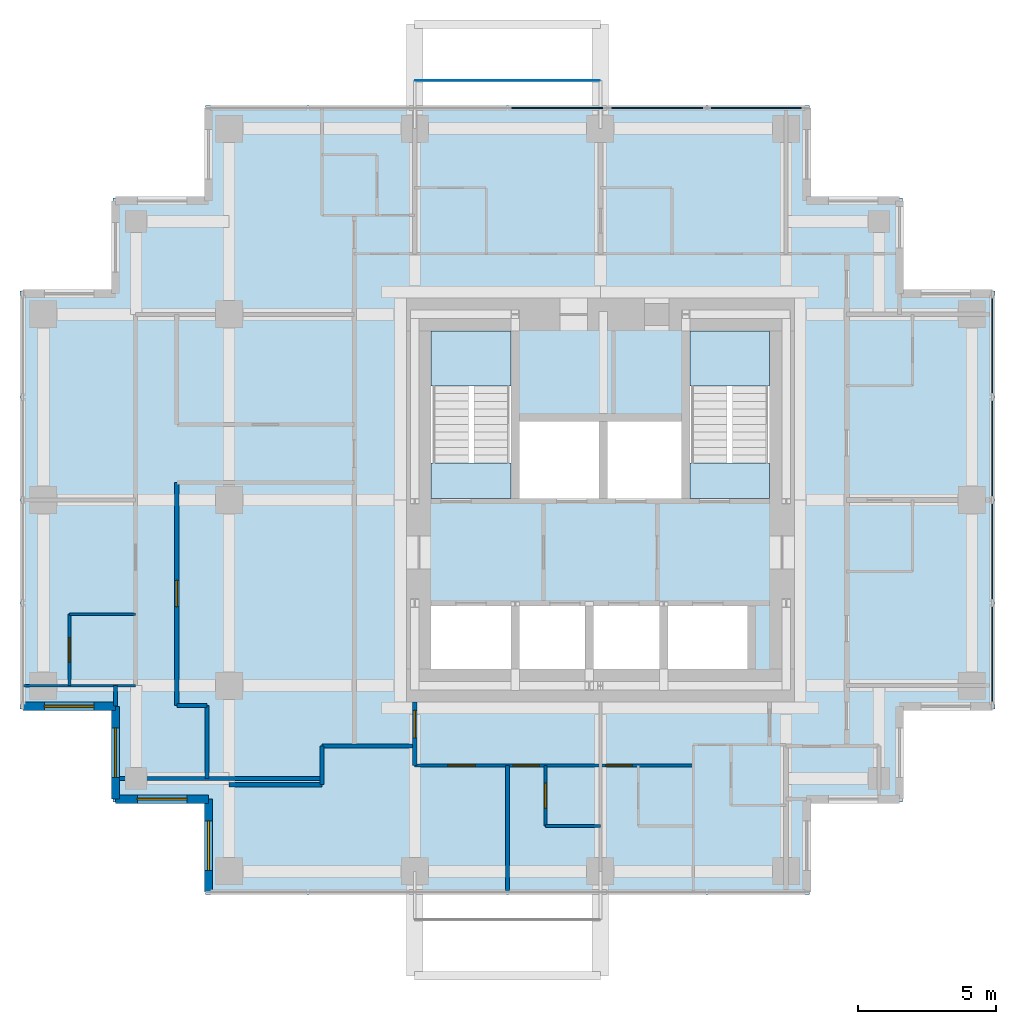
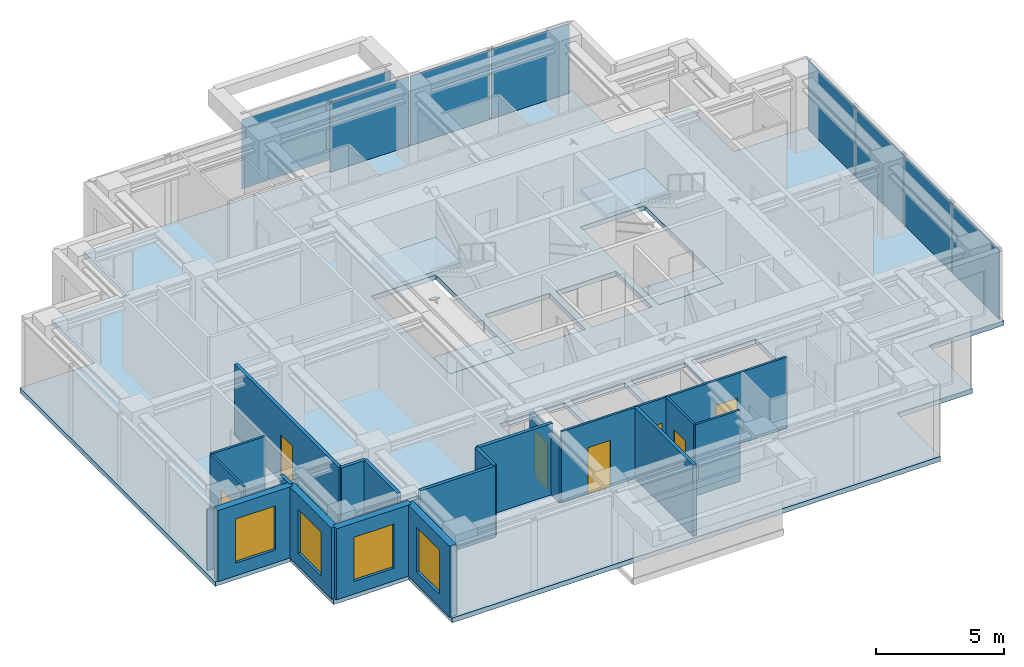
# One storey, part 3 of 7: 20 walls, 8 plates, 7 doors, 5 slabs, 4 windows, 11 openings, 4 elements without a shape of their own.
"""IFC4 building model written with IfcOpenShell, lengths in metres."""

from ifc_helpers import new_model, si_unit, direction, frame, frame_2d, origin, origin_2d, place, context, subcontext, project, spatial, polyline, rectangle, outline, extrude, material, layer, layer_set, type_object, element, fill, aggregate, save


model = new_model("IFC4")

# Units and contexts
model_context = context("Model", 3, precision=1e-05, world=origin(), true_north=direction((0.0, 1.0)))
body_context = subcontext(model_context, "Body", "Model", "MODEL_VIEW")
ifc_project = project(units=[si_unit("LENGTHUNIT", "METRE"), si_unit("AREAUNIT", "SQUARE_METRE"), si_unit("VOLUMEUNIT", "CUBIC_METRE"), si_unit("PLANEANGLEUNIT", "RADIAN"), si_unit("MASSUNIT", "GRAM", prefix="KILO")], contexts=[model_context])

# Site, building, storey
site_placement = place(None, origin())
site = spatial("IfcSite", under=ifc_project, at=site_placement, CompositionType="ELEMENT")
building_placement = place(site_placement, origin())
building = spatial("IfcBuilding", under=site, at=building_placement, Name="Nyansa Garden Tower", CompositionType="ELEMENT")
storey_placement = place(building_placement, frame((0.0, 0.0, 236.699951171875)))
storey = spatial("IfcBuildingStorey", under=building, at=storey_placement, Name="L64", CompositionType="ELEMENT", Elevation=236.699951171875)

# Curtain wall, plates
ifc_material_1 = material(Name="Black anodised aluminium, dark tinted double glazing", Category="aluminium")
curtain_wall_type = type_object("IfcCurtainWallType", Name="Inner skin curtain wall ISW-D", PredefinedType="USERDEFINED", material=ifc_material_1)
curtain_wall_1_placement = place(storey_placement, origin())
curtain_wall_1 = element("IfcCurtainWall", 1, at=curtain_wall_1_placement, inside=storey, type_object=curtain_wall_type, Name="Inner skin curtain wall L64 E", ObjectType="UNITISED CURTAIN WALL", PredefinedType="USERDEFINED")
ifc_material_2 = material(Name="Dark tinted laminated double glazing", Category="glass")
ifc_layer_1 = layer(ifc_material_2, 0.0439453125)
ifc_layer_set_1 = layer_set([ifc_layer_1], Name="Dark tinted vision panel VP-D")
plate_type_1 = type_object("IfcPlateType", Name="Dark tinted vision panel VP-D", PredefinedType="CURTAIN_PANEL", material=ifc_layer_set_1)
plate_1_placement = place(storey_placement, frame((34.5, 14.642578125, 0.0), z_axis=(0.0, 0.0, 1.0), x_axis=(0.0, 1.0, 0.0)))
plate_1 = element("IfcPlate", 2, at=plate_1_placement, type_object=plate_type_1, Name="ISW-D panel 1", PredefinedType="CURTAIN_PANEL", context=body_context, shape_type="SweptSolid", body=[
    extrude(rectangle(XDim=3.64501953125, YDim=0.0439453125, at=origin_2d()), origin(), (0.0, 0.0, 1.0), 3.304931640625),
])
plate_2_placement = place(storey_placement, frame((34.5, 18.375, 0.0), z_axis=(0.0, 0.0, 1.0), x_axis=(0.0, 1.0, 0.0)))
plate_2 = element("IfcPlate", 3, at=plate_2_placement, type_object=plate_type_1, Name="ISW-D panel 2", PredefinedType="CURTAIN_PANEL", context=body_context, shape_type="SweptSolid", body=[
    extrude(rectangle(XDim=3.679931640625, YDim=0.0439453125, at=origin_2d()), origin(), (0.0, 0.0, 1.0), 3.304931640625),
])
plate_3_placement = place(storey_placement, frame((34.5, 22.125, 0.0), z_axis=(0.0, 0.0, 1.0), x_axis=(0.0, 1.0, 0.0)))
plate_3 = element("IfcPlate", 4, at=plate_3_placement, type_object=plate_type_1, Name="ISW-D panel 3", PredefinedType="CURTAIN_PANEL", context=body_context, shape_type="SweptSolid", body=[
    extrude(rectangle(XDim=3.679931640625, YDim=0.0439453125, at=origin_2d()), origin(), (0.0, 0.0, 1.0), 3.304931640625),
])
plate_4_placement = place(storey_placement, frame((34.5, 25.857421875, 0.0), z_axis=(0.0, 0.0, 1.0), x_axis=(0.0, 1.0, 0.0)))
plate_4 = element("IfcPlate", 5, at=plate_4_placement, type_object=plate_type_1, Name="ISW-D panel 4", PredefinedType="CURTAIN_PANEL", context=body_context, shape_type="SweptSolid", body=[
    extrude(rectangle(XDim=3.64501953125, YDim=0.0439453125, at=origin_2d()), origin(), (0.0, 0.0, 1.0), 3.304931640625),
])
aggregate(curtain_wall_1, [plate_1, plate_2, plate_3, plate_4])

curtain_wall_2_placement = place(storey_placement, origin())
curtain_wall_2 = element("IfcCurtainWall", 6, at=curtain_wall_2_placement, inside=storey, type_object=curtain_wall_type, Name="Inner skin curtain wall L64 N", ObjectType="UNITISED CURTAIN WALL", PredefinedType="USERDEFINED")
plate_5_placement = place(storey_placement, frame((25.919921875, 34.5, 0.0), z_axis=(0.0, 0.0, 1.0), x_axis=(-1.0, 0.0, 0.0)))
plate_5 = element("IfcPlate", 7, at=plate_5_placement, type_object=plate_type_1, Name="ISW-D panel 1", PredefinedType="CURTAIN_PANEL", context=body_context, shape_type="SweptSolid", body=[
    extrude(rectangle(XDim=3.52001953125, YDim=0.0439453125, at=origin_2d()), origin(), (0.0, 0.0, 1.0), 3.304931640625),
])
plate_6_placement = place(storey_placement, frame((22.3125, 34.5, 0.0), z_axis=(0.0, 0.0, 1.0), x_axis=(-1.0, 0.0, 0.0)))
plate_6 = element("IfcPlate", 8, at=plate_6_placement, type_object=plate_type_1, Name="ISW-D panel 2", PredefinedType="CURTAIN_PANEL", context=body_context, shape_type="SweptSolid", body=[
    extrude(rectangle(XDim=3.554931640625, YDim=0.0439453125, at=origin_2d()), origin(), (0.0, 0.0, 1.0), 3.304931640625),
])
plate_7_placement = place(storey_placement, frame((18.6875, 34.5, 0.0), z_axis=(0.0, 0.0, 1.0), x_axis=(-1.0, 0.0, 0.0)))
plate_7 = element("IfcPlate", 9, at=plate_7_placement, type_object=plate_type_1, Name="ISW-D panel 3", PredefinedType="CURTAIN_PANEL", context=body_context, shape_type="SweptSolid", body=[
    extrude(rectangle(XDim=3.554931640625, YDim=0.0439453125, at=origin_2d()), origin(), (0.0, 0.0, 1.0), 3.304931640625),
])
aggregate(curtain_wall_2, [plate_5, plate_6, plate_7])

# Slab
ifc_material_3 = material(Name="Concrete C40/50", Category="concrete")
ifc_layer_2 = layer(ifc_material_3, 0.22509765625)
ifc_layer_set_2 = layer_set([ifc_layer_2], Name="Floor slab FS225")
slab_type_1 = type_object("IfcSlabType", Name="Floor slab FS225", PredefinedType="FLOOR", material=ifc_layer_set_2)
slab_1_placement = place(storey_placement, frame((0.0, 0.0, -0.224853515625)))
element("IfcSlab", 10, at=slab_1_placement, inside=storey, type_object=slab_type_1, Name="Floor slab L64", PredefinedType="FLOOR", context=body_context, shape_type="SweptSolid", body=[
    extrude(outline(polyline([(34.60009765625, 12.64990234375), (31.22509765625, 12.64990234375), (31.22509765625, 9.27490234375), (27.85009765625, 9.27490234375), (27.85009765625, 5.89990234375), (5.89990234375, 5.89990234375), (5.89990234375, 9.27490234375), (2.52490234375, 9.27490234375), (2.52490234375, 12.64990234375), (-0.85009765625, 12.64990234375), (-0.85009765625, 27.85009765625), (2.52490234375, 27.85009765625), (2.52490234375, 31.22509765625), (5.89990234375, 31.22509765625), (5.89990234375, 34.60009765625), (27.85009765625, 34.60009765625), (27.85009765625, 31.22509765625), (31.22509765625, 31.22509765625), (31.22509765625, 27.85009765625), (34.60009765625, 27.85009765625), (34.60009765625, 12.64990234375)]), holes=[polyline([(14.10009765625, 14.10009765625), (17.0, 14.10009765625), (17.0, 16.39990234375), (14.10009765625, 16.39990234375), (14.10009765625, 14.10009765625)]), polyline([(17.300048828125, 14.10009765625), (19.699951171875, 14.10009765625), (19.699951171875, 16.39990234375), (17.300048828125, 16.39990234375), (17.300048828125, 14.10009765625)]), polyline([(20.0, 14.10009765625), (22.39990234375, 14.10009765625), (22.39990234375, 16.39990234375), (20.0, 16.39990234375), (20.0, 14.10009765625)]), polyline([(22.699951171875, 14.10009765625), (25.60009765625, 14.10009765625), (25.60009765625, 16.39990234375), (22.699951171875, 16.39990234375), (22.699951171875, 14.10009765625)]), polyline([(17.300048828125, 20.300048828125), (20.199951171875, 20.300048828125), (20.199951171875, 23.10009765625), (17.300048828125, 23.10009765625), (17.300048828125, 20.300048828125)]), polyline([(20.5, 20.300048828125), (23.199951171875, 20.300048828125), (23.199951171875, 23.10009765625), (20.5, 23.10009765625), (20.5, 20.300048828125)]), polyline([(14.10009765625, 20.300048828125), (17.0, 20.300048828125), (17.0, 26.39990234375), (14.10009765625, 26.39990234375), (14.10009765625, 20.300048828125)]), polyline([(23.5, 20.300048828125), (26.39990234375, 20.300048828125), (26.39990234375, 26.39990234375), (23.5, 26.39990234375), (23.5, 20.300048828125)])]), origin(), (0.0, 0.0, 1.0), 0.224853515625),
])

# Plate
ifc_material_4 = material(Name="Dark tinted laminated glass", Category="glass")
ifc_layer_3 = layer(ifc_material_4, 0.02392578125)
ifc_layer_set_3 = layer_set([ifc_layer_3], Name="Outer skin glass panel OS1")
plate_type_2 = type_object("IfcPlateType", Name="Outer skin glass panel OS1", PredefinedType="USERDEFINED", material=ifc_layer_set_3)
plate_8_placement = place(storey_placement, frame((16.875, 35.5, -0.22509765625), z_axis=(0.0, 0.0, 1.0), x_axis=(1.0, 0.0, 0.0)))
element("IfcPlate", 11, at=plate_8_placement, inside=storey, type_object=plate_type_2, Name="Outer skin glass panel L64", ObjectType="OUTER SKIN GLASS", PredefinedType="USERDEFINED", context=body_context, shape_type="SweptSolid", body=[
    extrude(rectangle(XDim=6.7099609375, YDim=0.02392578125, at=origin_2d()), origin(), (0.0, 0.0, 1.0), 3.300048828125),
])

# Stair, slabs
ifc_material_5 = material(Name="Precast concrete C40/50", Category="concrete")
stair_type_1 = type_object("IfcStairType", Name="Stair S1 164x280", PredefinedType="HALF_TURN_STAIR", material=ifc_material_5)
stair_1_placement = place(storey_placement, origin())
stair_1 = element("IfcStair", 12, at=stair_1_placement, inside=storey, type_object=stair_type_1, Name="Stair S1 L64", PredefinedType="HALF_TURN_STAIR")
ifc_material_6 = material(Name="Concrete C40/50", Category="concrete")
ifc_layer_4 = layer(ifc_material_6, 0.199951171875)
ifc_layer_set_4 = layer_set([ifc_layer_4], Name="Stair landing SL200")
slab_type_2 = type_object("IfcSlabType", Name="Stair landing SL200", PredefinedType="LANDING", material=ifc_layer_set_4)
slab_2_placement = place(storey_placement, frame((0.0, 0.0, -0.199951171875)))
slab_2 = element("IfcSlab", 13, at=slab_2_placement, type_object=slab_type_2, Name="S1 landing 1", PredefinedType="LANDING", context=body_context, shape_type="SweptSolid", body=[
    extrude(outline(polyline([(14.10009765625, 20.300048828125), (17.0, 20.300048828125), (17.0, 21.60009765625), (14.10009765625, 21.60009765625), (14.10009765625, 20.300048828125)])), origin(), (0.0, 0.0, 1.0), 0.199951171875),
])
slab_3_placement = place(storey_placement, frame((0.0, 0.0, 1.60009765625)))
slab_3 = element("IfcSlab", 14, at=slab_3_placement, type_object=slab_type_2, Name="S1 landing 2", PredefinedType="LANDING", context=body_context, shape_type="SweptSolid", body=[
    extrude(outline(polyline([(14.10009765625, 24.39990234375), (17.0, 24.39990234375), (17.0, 26.39990234375), (14.10009765625, 26.39990234375), (14.10009765625, 24.39990234375)])), origin(), (0.0, 0.0, 1.0), 0.199951171875),
])
aggregate(stair_1, [slab_2, slab_3])

ifc_material_7 = material(Name="Precast concrete C40/50", Category="concrete")
stair_type_2 = type_object("IfcStairType", Name="Stair S2 164x280", PredefinedType="HALF_TURN_STAIR", material=ifc_material_7)
stair_2_placement = place(storey_placement, origin())
stair_2 = element("IfcStair", 15, at=stair_2_placement, inside=storey, type_object=stair_type_2, Name="Stair S2 L64", PredefinedType="HALF_TURN_STAIR")
slab_4_placement = place(storey_placement, frame((0.0, 0.0, -0.199951171875)))
slab_4 = element("IfcSlab", 16, at=slab_4_placement, type_object=slab_type_2, Name="S2 landing 1", PredefinedType="LANDING", context=body_context, shape_type="SweptSolid", body=[
    extrude(outline(polyline([(23.5, 20.300048828125), (26.39990234375, 20.300048828125), (26.39990234375, 21.60009765625), (23.5, 21.60009765625), (23.5, 20.300048828125)])), origin(), (0.0, 0.0, 1.0), 0.199951171875),
])
slab_5_placement = place(storey_placement, frame((0.0, 0.0, 1.60009765625)))
slab_5 = element("IfcSlab", 17, at=slab_5_placement, type_object=slab_type_2, Name="S2 landing 2", PredefinedType="LANDING", context=body_context, shape_type="SweptSolid", body=[
    extrude(outline(polyline([(23.5, 24.39990234375), (26.39990234375, 24.39990234375), (26.39990234375, 26.39990234375), (23.5, 26.39990234375), (23.5, 24.39990234375)])), origin(), (0.0, 0.0, 1.0), 0.199951171875),
])
aggregate(stair_2, [slab_4, slab_5])

# Walls
ifc_material_8 = material(Name="Blockwork, plastered both sides", Category="masonry")
ifc_layer_5 = layer(ifc_material_8, 0.14990234375)
ifc_layer_set_5 = layer_set([ifc_layer_5], Name="Partition PW150")
wall_type_1 = type_object("IfcWallType", Name="Partition PW150", PredefinedType="PARTITIONING", material=ifc_layer_set_5)
wall_1_placement = place(storey_placement, frame((2.625, 12.76611328125, 0.0), z_axis=(0.0, 0.0, 1.0), x_axis=(0.0, 1.0, 0.0)))
element("IfcWall", 18, at=wall_1_placement, inside=storey, type_object=wall_type_1, Name="Partition", PredefinedType="PARTITIONING", context=body_context, shape_type="SweptSolid", body=[
    extrude(rectangle(XDim=0.73388671875, YDim=0.14990234375, at=frame_2d((0.366943359375, 0.0))), origin(), (0.0, 0.0, 1.0), 3.375),
])
wall_2_placement = place(storey_placement, frame((2.77490234375, 10.125, 0.0), z_axis=(0.0, 0.0, 1.0), x_axis=(1.0, 0.0, 0.0)))
element("IfcWall", 19, at=wall_2_placement, inside=storey, type_object=wall_type_1, Name="Partition", PredefinedType="PARTITIONING", context=body_context, shape_type="SweptSolid", body=[
    extrude(rectangle(XDim=7.35009765625, YDim=0.14990234375, at=frame_2d((3.675048828125, 0.0))), origin(), (0.0, 0.0, 1.0), 2.876953125),
])

# Wall, opening, door
wall_3_placement = place(storey_placement, frame((4.85009765625, 12.77490234375, 0.0), z_axis=(0.0, 0.0, 1.0), x_axis=(0.0, 1.0, 0.0)))
wall_3 = element("IfcWall", 20, at=wall_3_placement, inside=storey, type_object=wall_type_1, Name="Partition", PredefinedType="PARTITIONING", context=body_context, shape_type="SweptSolid", body=[
    extrude(rectangle(XDim=8.112548828125, YDim=0.14990234375, at=frame_2d((4.05615234375, 0.0))), origin(), (0.0, 0.0, 1.0), 3.375),
])
opening_1_placement = place(wall_3_placement, frame((3.60009765625, 0.0, 0.0)))
opening_1 = element("IfcOpeningElement", 21, at=opening_1_placement, cuts=wall_3, Name="Opening D01", PredefinedType="OPENING", context=body_context, shape_type="SweptSolid", body=[
    extrude(rectangle(XDim=0.949951171875, YDim=2.199951171875, at=frame_2d((0.47509765625, 1.10009765625))), frame((0.0, 0.0849609375, 0.0), z_axis=(0.0, -1.0, 0.0), x_axis=(1.0, 0.0, 0.0)), (0.0, 0.0, 1.0), 0.169921875),
])
ifc_material_9 = material(Name="Timber flush door, 30 minute fire resisting", Category="wood")
door_type_1 = type_object("IfcDoorType", Name="Bedroom door D01 950x2200", OperationType="SINGLE_SWING_LEFT", PredefinedType="DOOR", material=ifc_material_9)
door_1_placement = place(opening_1_placement, origin())
door_1 = element("IfcDoor", 22, at=door_1_placement, inside=storey, type_object=door_type_1, Name="Door L64-045", OperationType="SINGLE_SWING_LEFT", OverallHeight=2.199951171875, OverallWidth=0.949951171875, PredefinedType="DOOR", context=body_context, shape_type="SweptSolid", body=[
    extrude(rectangle(XDim=0.949951171875, YDim=2.199951171875, at=frame_2d((0.47509765625, 1.10009765625))), frame((0.0, 0.02490234375, 0.0), z_axis=(0.0, -1.0, 0.0), x_axis=(1.0, 0.0, 0.0)), (0.0, 0.0, 1.0), 0.050048828125),
])
fill(opening_1, door_1)

# Walls
wall_4_placement = place(storey_placement, frame((4.85009765625, 12.77490234375, 0.0), z_axis=(0.0, 0.0, 1.0), x_axis=(1.0, 0.0, 0.0)))
element("IfcWall", 23, at=wall_4_placement, inside=storey, type_object=wall_type_1, Name="Partition", PredefinedType="PARTITIONING", context=body_context, shape_type="SweptSolid", body=[
    extrude(rectangle(XDim=1.099853515625, YDim=0.14990234375, at=frame_2d((0.5498046875, 0.0))), origin(), (0.0, 0.0, 1.0), 3.375),
])
wall_5_placement = place(storey_placement, frame((5.949951171875, 10.125, 0.0), z_axis=(0.0, 0.0, 1.0), x_axis=(0.0, 1.0, 0.0)))
element("IfcWall", 24, at=wall_5_placement, inside=storey, type_object=wall_type_1, Name="Partition", PredefinedType="PARTITIONING", context=body_context, shape_type="SweptSolid", body=[
    extrude(rectangle(XDim=2.64990234375, YDim=0.14990234375, at=frame_2d((1.324951171875, 0.0))), origin(), (0.0, 0.0, 1.0), 3.375),
])
wall_6_placement = place(storey_placement, frame((6.75, 9.89990234375, 0.0), z_axis=(0.0, 0.0, 1.0), x_axis=(1.0, 0.0, 0.0)))
element("IfcWall", 25, at=wall_6_placement, inside=storey, type_object=wall_type_1, Name="Partition", PredefinedType="PARTITIONING", context=body_context, shape_type="SweptSolid", body=[
    extrude(rectangle(XDim=3.375, YDim=0.14990234375, at=frame_2d((1.6875, 0.0))), origin(), (0.0, 0.0, 1.0), 3.375),
])
wall_7_placement = place(storey_placement, frame((10.125, 9.89990234375, 0.0), z_axis=(0.0, 0.0, 1.0), x_axis=(0.0, 1.0, 0.0)))
element("IfcWall", 26, at=wall_7_placement, inside=storey, type_object=wall_type_1, Name="Partition", PredefinedType="PARTITIONING", context=body_context, shape_type="SweptSolid", body=[
    extrude(rectangle(XDim=1.400146484375, YDim=0.14990234375, at=frame_2d((0.7001953125, 0.0))), origin(), (0.0, 0.0, 1.0), 3.375),
])
wall_8_placement = place(storey_placement, frame((10.125, 11.300048828125, 0.0), z_axis=(0.0, 0.0, 1.0), x_axis=(1.0, 0.0, 0.0)))
element("IfcWall", 27, at=wall_8_placement, inside=storey, type_object=wall_type_1, Name="Partition", PredefinedType="PARTITIONING", context=body_context, shape_type="SweptSolid", body=[
    extrude(rectangle(XDim=3.375, YDim=0.14990234375, at=frame_2d((1.6875, 0.0))), origin(), (0.0, 0.0, 1.0), 3.375),
])

# Wall, opening, door
wall_9_placement = place(storey_placement, frame((13.5, 10.60009765625, 0.0), z_axis=(0.0, 0.0, 1.0), x_axis=(0.0, 1.0, 0.0)))
wall_9 = element("IfcWall", 28, at=wall_9_placement, inside=storey, type_object=wall_type_1, Name="Partition", PredefinedType="PARTITIONING", context=body_context, shape_type="SweptSolid", body=[
    extrude(rectangle(XDim=2.2998046875, YDim=0.14990234375, at=frame_2d((1.14990234375, 0.0))), origin(), (0.0, 0.0, 1.0), 2.876953125),
])
opening_2_placement = place(wall_9_placement, frame((1.0, 0.0, 0.0)))
opening_2 = element("IfcOpeningElement", 29, at=opening_2_placement, cuts=wall_9, Name="Opening D03", PredefinedType="OPENING", context=body_context, shape_type="SweptSolid", body=[
    extrude(rectangle(XDim=1.0, YDim=2.199951171875, at=frame_2d((0.5, 1.10009765625))), frame((0.0, 0.0849609375, 0.0), z_axis=(0.0, -1.0, 0.0), x_axis=(1.0, 0.0, 0.0)), (0.0, 0.0, 1.0), 0.169921875),
])
ifc_material_10 = material(Name="Timber flush door, 60 minute fire resisting", Category="wood")
door_type_2 = type_object("IfcDoorType", Name="Cluster entrance door D03 1000x2200", OperationType="SINGLE_SWING_LEFT", PredefinedType="DOOR", material=ifc_material_10)
door_2_placement = place(opening_2_placement, origin())
door_2 = element("IfcDoor", 30, at=door_2_placement, inside=storey, type_object=door_type_2, Name="Door L64-019", OperationType="SINGLE_SWING_LEFT", OverallHeight=2.199951171875, OverallWidth=1.0, PredefinedType="DOOR", context=body_context, shape_type="SweptSolid", body=[
    extrude(rectangle(XDim=1.0, YDim=2.199951171875, at=frame_2d((0.5, 1.10009765625))), frame((0.0, 0.02490234375, 0.0), z_axis=(0.0, -1.0, 0.0), x_axis=(1.0, 0.0, 0.0)), (0.0, 0.0, 1.0), 0.050048828125),
])
fill(opening_2, door_2)

# Wall
wall_10_placement = place(storey_placement, frame((16.875, 6.01611328125, 0.0), z_axis=(0.0, 0.0, 1.0), x_axis=(0.0, 1.0, 0.0)))
element("IfcWall", 31, at=wall_10_placement, inside=storey, type_object=wall_type_1, Name="Partition", PredefinedType="PARTITIONING", context=body_context, shape_type="SweptSolid", body=[
    extrude(rectangle(XDim=4.583984375, YDim=0.14990234375, at=frame_2d((2.2919921875, 0.0))), origin(), (0.0, 0.0, 1.0), 3.375),
])

# Wall, opening, window
ifc_material_11 = material(Name="Turquoise glazed tile on concrete blockwork", Category="masonry")
ifc_layer_6 = layer(ifc_material_11, 0.300048828125)
ifc_layer_set_6 = layer_set([ifc_layer_6], Name="Tiled corner wall TW300")
wall_type_2 = type_object("IfcWallType", Name="Tiled corner wall TW300", PredefinedType="SOLIDWALL", material=ifc_layer_set_6)
wall_11_placement = place(storey_placement, frame((-0.75, 12.75, 0.0), z_axis=(0.0, 0.0, 1.0), x_axis=(1.0, 0.0, 0.0)))
wall_11 = element("IfcWall", 32, at=wall_11_placement, inside=storey, type_object=wall_type_2, Name="Tiled corner wall L64", PredefinedType="SOLIDWALL", context=body_context, shape_type="SweptSolid", body=[
    extrude(rectangle(XDim=3.375, YDim=0.300048828125, at=frame_2d((1.6875, 0.0))), origin(), (0.0, 0.0, 1.0), 3.375),
])
opening_3_placement = place(wall_11_placement, frame((0.78759765625, 0.0, 0.60009765625)))
opening_3 = element("IfcOpeningElement", 33, at=opening_3_placement, cuts=wall_11, Name="Opening W2", PredefinedType="OPENING", context=body_context, shape_type="SweptSolid", body=[
    extrude(rectangle(XDim=1.800048828125, YDim=2.10009765625, at=frame_2d((0.89990234375, 1.050048828125))), frame((0.0, 0.159912109375, 0.0), z_axis=(0.0, -1.0, 0.0), x_axis=(1.0, 0.0, 0.0)), (0.0, 0.0, 1.0), 0.320068359375),
])
ifc_material_12 = material(Name="Black aluminium frame, dark tinted double glazing", Category="aluminium")
window_type = type_object("IfcWindowType", Name="Window W2 1800x2100", PartitioningType="SINGLE_PANEL", PredefinedType="WINDOW", material=ifc_material_12)
window_1_placement = place(opening_3_placement, origin())
window_1 = element("IfcWindow", 34, at=window_1_placement, inside=storey, type_object=window_type, Name="Corner window L64", OverallHeight=2.10009765625, OverallWidth=1.800048828125, PartitioningType="SINGLE_PANEL", PredefinedType="WINDOW", context=body_context, shape_type="SweptSolid", body=[
    extrude(rectangle(XDim=1.800048828125, YDim=2.10009765625, at=frame_2d((0.89990234375, 1.050048828125))), frame((0.0, 0.030029296875, 0.0), z_axis=(0.0, -1.0, 0.0), x_axis=(1.0, 0.0, 0.0)), (0.0, 0.0, 1.0), 0.06005859375),
])
fill(opening_3, window_1)

wall_12_placement = place(storey_placement, frame((2.625, 12.75, 0.0), z_axis=(0.0, 0.0, 1.0), x_axis=(0.0, -1.0, 0.0)))
wall_12 = element("IfcWall", 35, at=wall_12_placement, inside=storey, type_object=wall_type_2, Name="Tiled corner wall L64", PredefinedType="SOLIDWALL", context=body_context, shape_type="SweptSolid", body=[
    extrude(rectangle(XDim=3.375, YDim=0.300048828125, at=frame_2d((1.6875, 0.0))), origin(), (0.0, 0.0, 1.0), 3.375),
])
opening_4_placement = place(wall_12_placement, frame((0.78759765625, 0.0, 0.60009765625)))
opening_4 = element("IfcOpeningElement", 36, at=opening_4_placement, cuts=wall_12, Name="Opening W2", PredefinedType="OPENING", context=body_context, shape_type="SweptSolid", body=[
    extrude(rectangle(XDim=1.800048828125, YDim=2.10009765625, at=frame_2d((0.89990234375, 1.050048828125))), frame((0.0, 0.159912109375, 0.0), z_axis=(0.0, -1.0, 0.0), x_axis=(1.0, 0.0, 0.0)), (0.0, 0.0, 1.0), 0.320068359375),
])
window_2_placement = place(opening_4_placement, origin())
window_2 = element("IfcWindow", 37, at=window_2_placement, inside=storey, type_object=window_type, Name="Corner window L64", OverallHeight=2.10009765625, OverallWidth=1.800048828125, PartitioningType="SINGLE_PANEL", PredefinedType="WINDOW", context=body_context, shape_type="SweptSolid", body=[
    extrude(rectangle(XDim=1.800048828125, YDim=2.10009765625, at=frame_2d((0.89990234375, 1.050048828125))), frame((0.0, 0.030029296875, 0.0), z_axis=(0.0, -1.0, 0.0), x_axis=(1.0, 0.0, 0.0)), (0.0, 0.0, 1.0), 0.06005859375),
])
fill(opening_4, window_2)

wall_13_placement = place(storey_placement, frame((2.625, 9.375, 0.0), z_axis=(0.0, 0.0, 1.0), x_axis=(1.0, 0.0, 0.0)))
wall_13 = element("IfcWall", 38, at=wall_13_placement, inside=storey, type_object=wall_type_2, Name="Tiled corner wall L64", PredefinedType="SOLIDWALL", context=body_context, shape_type="SweptSolid", body=[
    extrude(rectangle(XDim=3.375, YDim=0.300048828125, at=frame_2d((1.6875, 0.0))), origin(), (0.0, 0.0, 1.0), 3.375),
])
opening_5_placement = place(wall_13_placement, frame((0.78759765625, 0.0, 0.60009765625)))
opening_5 = element("IfcOpeningElement", 39, at=opening_5_placement, cuts=wall_13, Name="Opening W2", PredefinedType="OPENING", context=body_context, shape_type="SweptSolid", body=[
    extrude(rectangle(XDim=1.800048828125, YDim=2.10009765625, at=frame_2d((0.89990234375, 1.050048828125))), frame((0.0, 0.159912109375, 0.0), z_axis=(0.0, -1.0, 0.0), x_axis=(1.0, 0.0, 0.0)), (0.0, 0.0, 1.0), 0.320068359375),
])
window_3_placement = place(opening_5_placement, origin())
window_3 = element("IfcWindow", 40, at=window_3_placement, inside=storey, type_object=window_type, Name="Corner window L64", OverallHeight=2.10009765625, OverallWidth=1.800048828125, PartitioningType="SINGLE_PANEL", PredefinedType="WINDOW", context=body_context, shape_type="SweptSolid", body=[
    extrude(rectangle(XDim=1.800048828125, YDim=2.10009765625, at=frame_2d((0.89990234375, 1.050048828125))), frame((0.0, 0.030029296875, 0.0), z_axis=(0.0, -1.0, 0.0), x_axis=(1.0, 0.0, 0.0)), (0.0, 0.0, 1.0), 0.06005859375),
])
fill(opening_5, window_3)

wall_14_placement = place(storey_placement, frame((6.0, 9.375, 0.0), z_axis=(0.0, 0.0, 1.0), x_axis=(0.0, -1.0, 0.0)))
wall_14 = element("IfcWall", 41, at=wall_14_placement, inside=storey, type_object=wall_type_2, Name="Tiled corner wall L64", PredefinedType="SOLIDWALL", context=body_context, shape_type="SweptSolid", body=[
    extrude(rectangle(XDim=3.375, YDim=0.300048828125, at=frame_2d((1.6875, 0.0))), origin(), (0.0, 0.0, 1.0), 3.375),
])
opening_6_placement = place(wall_14_placement, frame((0.78759765625, 0.0, 0.60009765625)))
opening_6 = element("IfcOpeningElement", 42, at=opening_6_placement, cuts=wall_14, Name="Opening W2", PredefinedType="OPENING", context=body_context, shape_type="SweptSolid", body=[
    extrude(rectangle(XDim=1.800048828125, YDim=2.10009765625, at=frame_2d((0.89990234375, 1.050048828125))), frame((0.0, 0.159912109375, 0.0), z_axis=(0.0, -1.0, 0.0), x_axis=(1.0, 0.0, 0.0)), (0.0, 0.0, 1.0), 0.320068359375),
])
window_4_placement = place(opening_6_placement, origin())
window_4 = element("IfcWindow", 43, at=window_4_placement, inside=storey, type_object=window_type, Name="Corner window L64", OverallHeight=2.10009765625, OverallWidth=1.800048828125, PartitioningType="SINGLE_PANEL", PredefinedType="WINDOW", context=body_context, shape_type="SweptSolid", body=[
    extrude(rectangle(XDim=1.800048828125, YDim=2.10009765625, at=frame_2d((0.89990234375, 1.050048828125))), frame((0.0, 0.030029296875, 0.0), z_axis=(0.0, -1.0, 0.0), x_axis=(1.0, 0.0, 0.0)), (0.0, 0.0, 1.0), 0.06005859375),
])
fill(opening_6, window_4)

# Wall
ifc_material_13 = material(Name="Moisture resistant board on steel studs, tiled", Category="steel")
ifc_layer_7 = layer(ifc_material_13, 0.10009765625)
ifc_layer_set_7 = layer_set([ifc_layer_7], Name="Wet wall PW100")
wall_type_3 = type_object("IfcWallType", Name="Wet wall PW100", PredefinedType="PARTITIONING", material=ifc_layer_set_7)
wall_15_placement = place(storey_placement, frame((-0.73388671875, 13.5, 0.0), z_axis=(0.0, 0.0, 1.0), x_axis=(1.0, 0.0, 0.0)))
element("IfcWall", 44, at=wall_15_placement, inside=storey, type_object=wall_type_3, Name="Wet wall", PredefinedType="PARTITIONING", context=body_context, shape_type="SweptSolid", body=[
    extrude(rectangle(XDim=4.083984375, YDim=0.10009765625, at=frame_2d((2.0419921875, 0.0))), origin(), (0.0, 0.0, 1.0), 2.876953125),
])

# Wall, opening, door
wall_16_placement = place(storey_placement, frame((0.949951171875, 13.5, 0.0), z_axis=(0.0, 0.0, 1.0), x_axis=(0.0, 1.0, 0.0)))
wall_16 = element("IfcWall", 45, at=wall_16_placement, inside=storey, type_object=wall_type_3, Name="Wet wall", PredefinedType="PARTITIONING", context=body_context, shape_type="SweptSolid", body=[
    extrude(rectangle(XDim=2.60009765625, YDim=0.10009765625, at=frame_2d((1.300048828125, 0.0))), origin(), (0.0, 0.0, 1.0), 3.375),
])
opening_7_placement = place(wall_16_placement, frame((0.85009765625, 0.0, 0.0)))
opening_7 = element("IfcOpeningElement", 46, at=opening_7_placement, cuts=wall_16, Name="Opening D02", PredefinedType="OPENING", context=body_context, shape_type="SweptSolid", body=[
    extrude(rectangle(XDim=0.89990234375, YDim=2.199951171875, at=frame_2d((0.449951171875, 1.10009765625))), frame((0.0, 0.06005859375, 0.0), z_axis=(0.0, -1.0, 0.0), x_axis=(1.0, 0.0, 0.0)), (0.0, 0.0, 1.0), 0.1201171875),
])
ifc_material_14 = material(Name="Timber flush door", Category="wood")
door_type_3 = type_object("IfcDoorType", Name="En-suite door D02 900x2200", OperationType="SINGLE_SWING_RIGHT", PredefinedType="DOOR", material=ifc_material_14)
door_3_placement = place(opening_7_placement, origin())
door_3 = element("IfcDoor", 47, at=door_3_placement, inside=storey, type_object=door_type_3, Name="Door L64-042", OperationType="SINGLE_SWING_RIGHT", OverallHeight=2.199951171875, OverallWidth=0.89990234375, PredefinedType="DOOR", context=body_context, shape_type="SweptSolid", body=[
    extrude(rectangle(XDim=0.89990234375, YDim=2.199951171875, at=frame_2d((0.449951171875, 1.10009765625))), frame((0.0, 0.02490234375, 0.0), z_axis=(0.0, -1.0, 0.0), x_axis=(1.0, 0.0, 0.0)), (0.0, 0.0, 1.0), 0.050048828125),
])
fill(opening_7, door_3)

# Wall
wall_17_placement = place(storey_placement, frame((0.949951171875, 16.10009765625, 0.0), z_axis=(0.0, 0.0, 1.0), x_axis=(1.0, 0.0, 0.0)))
element("IfcWall", 48, at=wall_17_placement, inside=storey, type_object=wall_type_3, Name="Wet wall", PredefinedType="PARTITIONING", context=body_context, shape_type="SweptSolid", body=[
    extrude(rectangle(XDim=2.400146484375, YDim=0.10009765625, at=frame_2d((1.2001953125, 0.0))), origin(), (0.0, 0.0, 1.0), 3.375),
])

# Wall, openings, doors
wall_18_placement = place(storey_placement, frame((13.5, 10.60009765625, 0.0), z_axis=(0.0, 0.0, 1.0), x_axis=(1.0, 0.0, 0.0)))
wall_18 = element("IfcWall", 49, at=wall_18_placement, inside=storey, type_object=wall_type_3, Name="Wet wall", PredefinedType="PARTITIONING", context=body_context, shape_type="SweptSolid", body=[
    extrude(rectangle(XDim=10.125, YDim=0.10009765625, at=frame_2d((5.0625, 0.0))), origin(), (0.0, 0.0, 1.0), 3.375),
])
opening_8_placement = place(wall_18_placement, frame((1.199951171875, 0.0, 0.0)))
opening_8 = element("IfcOpeningElement", 50, at=opening_8_placement, cuts=wall_18, Name="Opening D03", PredefinedType="OPENING", context=body_context, shape_type="SweptSolid", body=[
    extrude(rectangle(XDim=1.0, YDim=2.199951171875, at=frame_2d((0.5, 1.10009765625))), frame((0.0, 0.06005859375, 0.0), z_axis=(0.0, -1.0, 0.0), x_axis=(1.0, 0.0, 0.0)), (0.0, 0.0, 1.0), 0.1201171875),
])
opening_9_placement = place(wall_18_placement, frame((3.574951171875, 0.0, 0.0)))
opening_9 = element("IfcOpeningElement", 51, at=opening_9_placement, cuts=wall_18, Name="Opening D01", PredefinedType="OPENING", context=body_context, shape_type="SweptSolid", body=[
    extrude(rectangle(XDim=0.949951171875, YDim=2.199951171875, at=frame_2d((0.47509765625, 1.10009765625))), frame((0.0, 0.06005859375, 0.0), z_axis=(0.0, -1.0, 0.0), x_axis=(1.0, 0.0, 0.0)), (0.0, 0.0, 1.0), 0.1201171875),
])
opening_10_placement = place(wall_18_placement, frame((6.949951171875, 0.0, 0.0)))
opening_10 = element("IfcOpeningElement", 52, at=opening_10_placement, cuts=wall_18, Name="Opening D14", PredefinedType="OPENING", context=body_context, shape_type="SweptSolid", body=[
    extrude(rectangle(XDim=0.949951171875, YDim=2.199951171875, at=frame_2d((0.47509765625, 1.10009765625))), frame((0.0, 0.06005859375, 0.0), z_axis=(0.0, -1.0, 0.0), x_axis=(1.0, 0.0, 0.0)), (0.0, 0.0, 1.0), 0.1201171875),
])
door_4_placement = place(opening_9_placement, origin())
door_4 = element("IfcDoor", 53, at=door_4_placement, inside=storey, type_object=door_type_1, Name="Door L64-017", OperationType="SINGLE_SWING_LEFT", OverallHeight=2.199951171875, OverallWidth=0.949951171875, PredefinedType="DOOR", context=body_context, shape_type="SweptSolid", body=[
    extrude(rectangle(XDim=0.949951171875, YDim=2.199951171875, at=frame_2d((0.47509765625, 1.10009765625))), frame((0.0, 0.02490234375, 0.0), z_axis=(0.0, -1.0, 0.0), x_axis=(1.0, 0.0, 0.0)), (0.0, 0.0, 1.0), 0.050048828125),
])
fill(opening_9, door_4)
door_5_placement = place(opening_8_placement, origin())
door_5 = element("IfcDoor", 54, at=door_5_placement, inside=storey, type_object=door_type_2, Name="Door L64-016", OperationType="SINGLE_SWING_LEFT", OverallHeight=2.199951171875, OverallWidth=1.0, PredefinedType="DOOR", context=body_context, shape_type="SweptSolid", body=[
    extrude(rectangle(XDim=1.0, YDim=2.199951171875, at=frame_2d((0.5, 1.10009765625))), frame((0.0, 0.02490234375, 0.0), z_axis=(0.0, -1.0, 0.0), x_axis=(1.0, 0.0, 0.0)), (0.0, 0.0, 1.0), 0.050048828125),
])
fill(opening_8, door_5)
ifc_material_15 = material(Name="Timber flush door, 60 minute fire resisting, self-closing", Category="wood")
door_type_4 = type_object("IfcDoorType", Name="Studio entrance door D14 950x2200", OperationType="SINGLE_SWING_LEFT", PredefinedType="DOOR", material=ifc_material_15)
door_6_placement = place(opening_10_placement, origin())
door_6 = element("IfcDoor", 55, at=door_6_placement, inside=storey, type_object=door_type_4, Name="Door L64-020", OperationType="SINGLE_SWING_LEFT", OverallHeight=2.199951171875, OverallWidth=0.949951171875, PredefinedType="DOOR", context=body_context, shape_type="SweptSolid", body=[
    extrude(rectangle(XDim=0.949951171875, YDim=2.199951171875, at=frame_2d((0.47509765625, 1.10009765625))), frame((0.0, 0.02490234375, 0.0), z_axis=(0.0, -1.0, 0.0), x_axis=(1.0, 0.0, 0.0)), (0.0, 0.0, 1.0), 0.050048828125),
])
fill(opening_10, door_6)

# Wall, opening, door
wall_19_placement = place(storey_placement, frame((18.25, 8.39990234375, 0.0), z_axis=(0.0, 0.0, 1.0), x_axis=(0.0, 1.0, 0.0)))
wall_19 = element("IfcWall", 56, at=wall_19_placement, inside=storey, type_object=wall_type_3, Name="Wet wall", PredefinedType="PARTITIONING", context=body_context, shape_type="SweptSolid", body=[
    extrude(rectangle(XDim=2.2001953125, YDim=0.10009765625, at=frame_2d((1.10009765625, 0.0))), origin(), (0.0, 0.0, 1.0), 3.375),
])
opening_11_placement = place(wall_19_placement, frame((0.64990234375, 0.0, 0.0)))
opening_11 = element("IfcOpeningElement", 57, at=opening_11_placement, cuts=wall_19, Name="Opening D02", PredefinedType="OPENING", context=body_context, shape_type="SweptSolid", body=[
    extrude(rectangle(XDim=0.89990234375, YDim=2.199951171875, at=frame_2d((0.449951171875, 1.10009765625))), frame((0.0, 0.06005859375, 0.0), z_axis=(0.0, -1.0, 0.0), x_axis=(1.0, 0.0, 0.0)), (0.0, 0.0, 1.0), 0.1201171875),
])
door_7_placement = place(opening_11_placement, origin())
door_7 = element("IfcDoor", 58, at=door_7_placement, inside=storey, type_object=door_type_3, Name="Door L64-018", OperationType="SINGLE_SWING_RIGHT", OverallHeight=2.199951171875, OverallWidth=0.89990234375, PredefinedType="DOOR", context=body_context, shape_type="SweptSolid", body=[
    extrude(rectangle(XDim=0.89990234375, YDim=2.199951171875, at=frame_2d((0.449951171875, 1.10009765625))), frame((0.0, 0.02490234375, 0.0), z_axis=(0.0, -1.0, 0.0), x_axis=(1.0, 0.0, 0.0)), (0.0, 0.0, 1.0), 0.050048828125),
])
fill(opening_11, door_7)

# Wall
wall_20_placement = place(storey_placement, frame((18.25, 8.39990234375, 0.0), z_axis=(0.0, 0.0, 1.0), x_axis=(1.0, 0.0, 0.0)))
element("IfcWall", 59, at=wall_20_placement, inside=storey, type_object=wall_type_3, Name="Wet wall", PredefinedType="PARTITIONING", context=body_context, shape_type="SweptSolid", body=[
    extrude(rectangle(XDim=2.0, YDim=0.10009765625, at=frame_2d((1.0, 0.0))), origin(), (0.0, 0.0, 1.0), 3.375),
])

save(model, "model.ifc")
